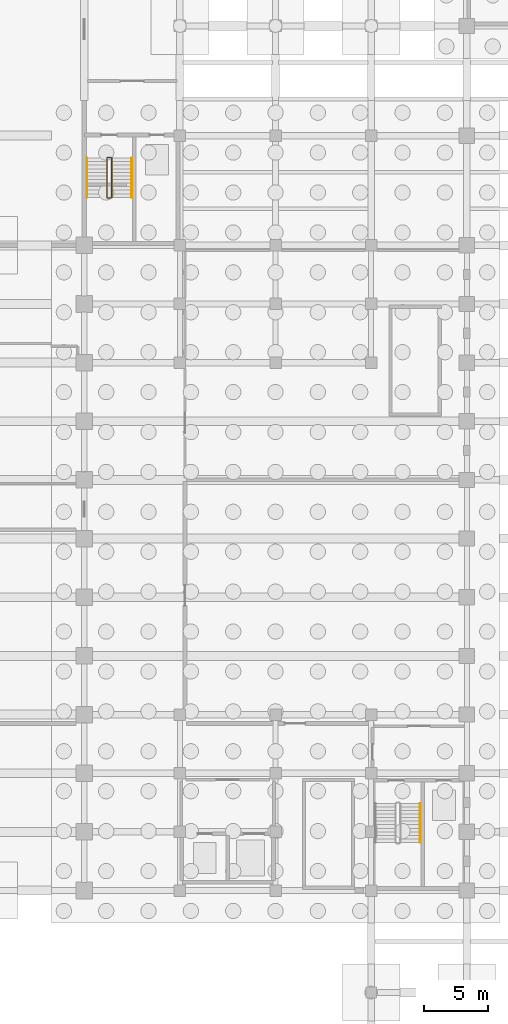
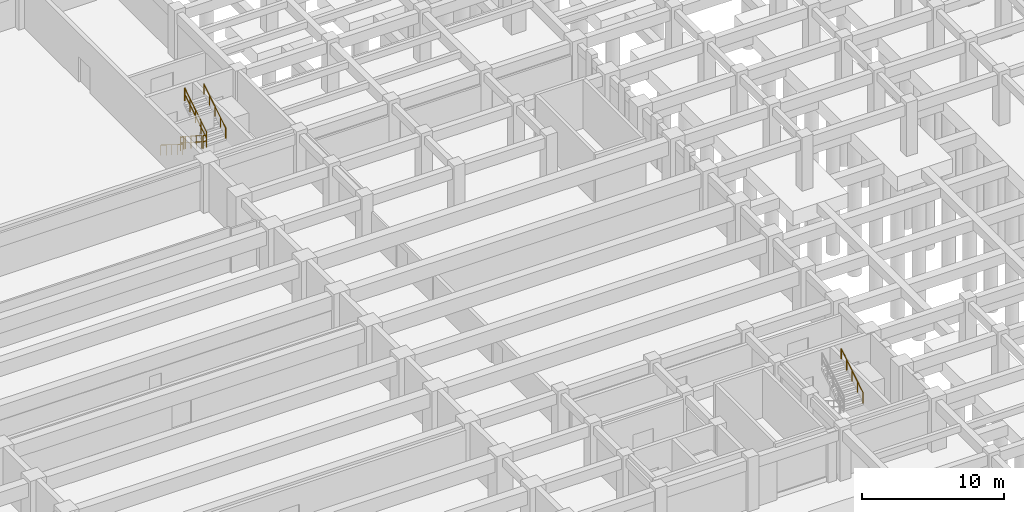
# One storey, part 31 of 32: 7 railings.
"""IFC4 building model written with IfcOpenShell, lengths in metres."""

from ifc_helpers import new_model, si_unit, direction, frame, origin, origin_2d, place, context, subcontext, project, spatial, circle, extrude, material, type_object, element, save


model = new_model("IFC4")

# Units and contexts
model_context = context("Model", 3, precision=1e-05, world=origin(), true_north=direction((0.0, 1.0)))
body_context = subcontext(model_context, "Body", "Model", "MODEL_VIEW")
ifc_project = project(units=[si_unit("LENGTHUNIT", "METRE"), si_unit("AREAUNIT", "SQUARE_METRE"), si_unit("VOLUMEUNIT", "CUBIC_METRE"), si_unit("PLANEANGLEUNIT", "RADIAN"), si_unit("MASSUNIT", "GRAM", prefix="KILO")], contexts=[model_context])

# Site, building, storey
site_placement = place(None, origin())
site = spatial("IfcSite", under=ifc_project, at=site_placement, CompositionType="ELEMENT")
building_placement = place(site_placement, origin())
building = spatial("IfcBuilding", under=site, at=building_placement, Name="Muzn Square Opera House", CompositionType="ELEMENT")
storey_placement = place(building_placement, frame((0.0, 0.0, -4.199951171875)))
storey = spatial("IfcBuildingStorey", under=building, at=storey_placement, Name="B1", CompositionType="ELEMENT", Elevation=-4.199951171875)

# Railings
ifc_material = material(Name="Brushed stainless steel", Category="metal")
railing_type_1 = type_object("IfcRailingType", Name="Stair Guard Railing 1120mm", PredefinedType="GUARDRAIL", material=ifc_material)
railing_1_placement = place(storey_placement, frame((104.780029296875, 79.43994140625, 0.175048828125)))
element("IfcRailing", 1, at=railing_1_placement, inside=storey, type_object=railing_type_1, Name="B1 ST-2 stair guard 1", PredefinedType="GUARDRAIL", context=body_context, shape_type="SweptSolid", body=[
    extrude(circle(Radius=0.02392578125, at=origin_2d()), frame((0.0, 0.0, 1.076171875), z_axis=(0.0, -0.848009633417, 0.529980812513), x_axis=(1.0, 0.0, 0.0)), (0.0, 0.0, 1.0), 3.6318359375),
    extrude(circle(Radius=0.02392578125, at=origin_2d()), frame((0.0, 0.0, 0.550048828125), z_axis=(0.0, -0.848009633417, 0.529980812513), x_axis=(1.0, 0.0, 0.0)), (0.0, 0.0, 1.0), 3.6318359375),
    extrude(circle(Radius=0.02099609375, at=origin_2d()), origin(), (0.0, 0.0, 1.0), 1.052001953125),
    extrude(circle(Radius=0.02099609375, at=origin_2d()), frame((0.0, -0.77001953125, 0.481201171875)), (0.0, 0.0, 1.0), 1.052001953125),
    extrude(circle(Radius=0.02099609375, at=origin_2d()), frame((0.0, -1.5400390625, 0.96240234375)), (0.0, 0.0, 1.0), 1.052001953125),
    extrude(circle(Radius=0.02099609375, at=origin_2d()), frame((0.0, -2.309814453125, 1.443603515625)), (0.0, 0.0, 1.0), 1.052001953125),
    extrude(circle(Radius=0.02099609375, at=origin_2d()), frame((0.0, -3.079833984375, 1.9248046875)), (0.0, 0.0, 1.0), 1.052001953125),
])
railing_2_placement = place(storey_placement, frame((104.830078125, 76.31005859375, 2.099853515625)))
element("IfcRailing", 2, at=railing_2_placement, inside=storey, type_object=railing_type_1, Name="B1 ST-2 stair guard 2", PredefinedType="GUARDRAIL", context=body_context, shape_type="SweptSolid", body=[
    extrude(circle(Radius=0.02392578125, at=origin_2d()), frame((0.0, 0.0, 1.076171875), z_axis=(1.0, 0.0, 0.0), x_axis=(0.0, 1.0, 0.0)), (0.0, 0.0, 1.0), 0.280029296875),
    extrude(circle(Radius=0.02392578125, at=origin_2d()), frame((0.0, 0.0, 0.550048828125), z_axis=(1.0, 0.0, 0.0), x_axis=(0.0, 1.0, 0.0)), (0.0, 0.0, 1.0), 0.280029296875),
    extrude(circle(Radius=0.02099609375, at=origin_2d()), origin(), (0.0, 0.0, 1.0), 1.052001953125),
    extrude(circle(Radius=0.02099609375, at=origin_2d()), frame((0.280029296875, 0.0, 0.0)), (0.0, 0.0, 1.0), 1.052001953125),
])
railing_3_placement = place(storey_placement, frame((105.159912109375, 76.360107421875, 2.27490234375)))
element("IfcRailing", 3, at=railing_3_placement, inside=storey, type_object=railing_type_1, Name="B1 ST-2 stair guard 3", PredefinedType="GUARDRAIL", context=body_context, shape_type="SweptSolid", body=[
    extrude(circle(Radius=0.02392578125, at=origin_2d()), frame((0.0, 0.0, 1.076171875), z_axis=(0.0, 0.847979421464, 0.530029150871), x_axis=(-1.0, 0.0, 0.0)), (0.0, 0.0, 1.0), 3.632080078125),
    extrude(circle(Radius=0.02392578125, at=origin_2d()), frame((0.0, 0.0, 0.550048828125), z_axis=(0.0, 0.847979421464, 0.530029150871), x_axis=(-1.0, 0.0, 0.0)), (0.0, 0.0, 1.0), 3.632080078125),
    extrude(circle(Radius=0.02099609375, at=origin_2d()), origin(), (0.0, 0.0, 1.0), 1.052001953125),
    extrude(circle(Radius=0.02099609375, at=origin_2d()), frame((0.0, 0.77001953125, 0.481201171875)), (0.0, 0.0, 1.0), 1.052001953125),
    extrude(circle(Radius=0.02099609375, at=origin_2d()), frame((0.0, 1.5400390625, 0.96240234375)), (0.0, 0.0, 1.0), 1.052001953125),
    extrude(circle(Radius=0.02099609375, at=origin_2d()), frame((0.0, 2.309814453125, 1.44384765625)), (0.0, 0.0, 1.0), 1.052001953125),
    extrude(circle(Radius=0.02099609375, at=origin_2d()), frame((0.0, 3.079833984375, 1.925048828125)), (0.0, 0.0, 1.0), 1.052001953125),
])
railing_4_placement = place(storey_placement, frame((104.830078125, 79.489990234375, 0.0)))
element("IfcRailing", 4, at=railing_4_placement, inside=storey, type_object=railing_type_1, Name="B1 ST-2 stair guard 4", PredefinedType="GUARDRAIL", context=body_context, shape_type="SweptSolid", body=[
    extrude(circle(Radius=0.02392578125, at=origin_2d()), frame((0.0, 0.0, 1.076171875), z_axis=(1.0, 0.0, 0.0), x_axis=(0.0, 1.0, 0.0)), (0.0, 0.0, 1.0), 0.280029296875),
    extrude(circle(Radius=0.02392578125, at=origin_2d()), frame((0.0, 0.0, 0.550048828125), z_axis=(1.0, 0.0, 0.0), x_axis=(0.0, 1.0, 0.0)), (0.0, 0.0, 1.0), 0.280029296875),
    extrude(circle(Radius=0.02099609375, at=origin_2d()), origin(), (0.0, 0.0, 1.0), 1.052001953125),
    extrude(circle(Radius=0.02099609375, at=origin_2d()), frame((0.280029296875, 0.0, 0.0)), (0.0, 0.0, 1.0), 1.052001953125),
])
railing_type_2 = type_object("IfcRailingType", Name="Stair Pitch Handrail 900mm", PredefinedType="HANDRAIL", material=ifc_material)
railing_5_placement = place(storey_placement, frame((103.219970703125, 79.43994140625, 0.175048828125)))
element("IfcRailing", 5, at=railing_5_placement, inside=storey, type_object=railing_type_2, Name="B1 ST-2 stair handrail 1", PredefinedType="HANDRAIL", context=body_context, shape_type="SweptSolid", body=[
    extrude(circle(Radius=0.02392578125, at=origin_2d()), frame((0.0, 0.0, 0.8759765625), z_axis=(0.0, -0.848009633417, 0.529980812513), x_axis=(1.0, 0.0, 0.0)), (0.0, 0.0, 1.0), 3.6318359375),
    extrude(circle(Radius=0.02099609375, at=origin_2d()), origin(), (0.0, 0.0, 1.0), 0.851806640625),
    extrude(circle(Radius=0.02099609375, at=origin_2d()), frame((0.0, -0.77001953125, 0.481201171875)), (0.0, 0.0, 1.0), 0.851806640625),
    extrude(circle(Radius=0.02099609375, at=origin_2d()), frame((0.0, -1.5400390625, 0.96240234375)), (0.0, 0.0, 1.0), 0.851806640625),
    extrude(circle(Radius=0.02099609375, at=origin_2d()), frame((0.0, -2.309814453125, 1.443603515625)), (0.0, 0.0, 1.0), 0.851806640625),
    extrude(circle(Radius=0.02099609375, at=origin_2d()), frame((0.0, -3.079833984375, 1.9248046875)), (0.0, 0.0, 1.0), 0.851806640625),
])
railing_6_placement = place(storey_placement, frame((106.719970703125, 76.360107421875, 2.27490234375)))
element("IfcRailing", 6, at=railing_6_placement, inside=storey, type_object=railing_type_2, Name="B1 ST-2 stair handrail 2", PredefinedType="HANDRAIL", context=body_context, shape_type="SweptSolid", body=[
    extrude(circle(Radius=0.02392578125, at=origin_2d()), frame((0.0, 0.0, 0.8759765625), z_axis=(0.0, 0.847979421464, 0.530029150871), x_axis=(-1.0, 0.0, 0.0)), (0.0, 0.0, 1.0), 3.632080078125),
    extrude(circle(Radius=0.02099609375, at=origin_2d()), origin(), (0.0, 0.0, 1.0), 0.851806640625),
    extrude(circle(Radius=0.02099609375, at=origin_2d()), frame((0.0, 0.77001953125, 0.481201171875)), (0.0, 0.0, 1.0), 0.851806640625),
    extrude(circle(Radius=0.02099609375, at=origin_2d()), frame((0.0, 1.5400390625, 0.96240234375)), (0.0, 0.0, 1.0), 0.851806640625),
    extrude(circle(Radius=0.02099609375, at=origin_2d()), frame((0.0, 2.309814453125, 1.44384765625)), (0.0, 0.0, 1.0), 0.851806640625),
    extrude(circle(Radius=0.02099609375, at=origin_2d()), frame((0.0, 3.079833984375, 1.925048828125)), (0.0, 0.0, 1.0), 0.851806640625),
])
railing_7_placement = place(storey_placement, frame((129.35009765625, 25.760009765625, 2.27490234375)))
element("IfcRailing", 7, at=railing_7_placement, inside=storey, type_object=railing_type_2, Name="B1 ST-4 stair handrail 2", PredefinedType="HANDRAIL", context=body_context, shape_type="SweptSolid", body=[
    extrude(circle(Radius=0.02392578125, at=origin_2d()), frame((0.0, 0.0, 0.8759765625), z_axis=(0.0, 0.847998304005, 0.529998940003), x_axis=(-1.0, 0.0, 0.0)), (0.0, 0.0, 1.0), 3.632080078125),
    extrude(circle(Radius=0.02099609375, at=origin_2d()), origin(), (0.0, 0.0, 1.0), 0.851806640625),
    extrude(circle(Radius=0.02099609375, at=origin_2d()), frame((0.0, 0.77001953125, 0.481201171875)), (0.0, 0.0, 1.0), 0.851806640625),
    extrude(circle(Radius=0.02099609375, at=origin_2d()), frame((0.0, 1.5400390625, 0.96240234375)), (0.0, 0.0, 1.0), 0.851806640625),
    extrude(circle(Radius=0.02099609375, at=origin_2d()), frame((0.0, 2.31005859375, 1.44384765625)), (0.0, 0.0, 1.0), 0.851806640625),
    extrude(circle(Radius=0.02099609375, at=origin_2d()), frame((0.0, 3.080078125, 1.925048828125)), (0.0, 0.0, 1.0), 0.851806640625),
])

save(model, "model.ifc")
